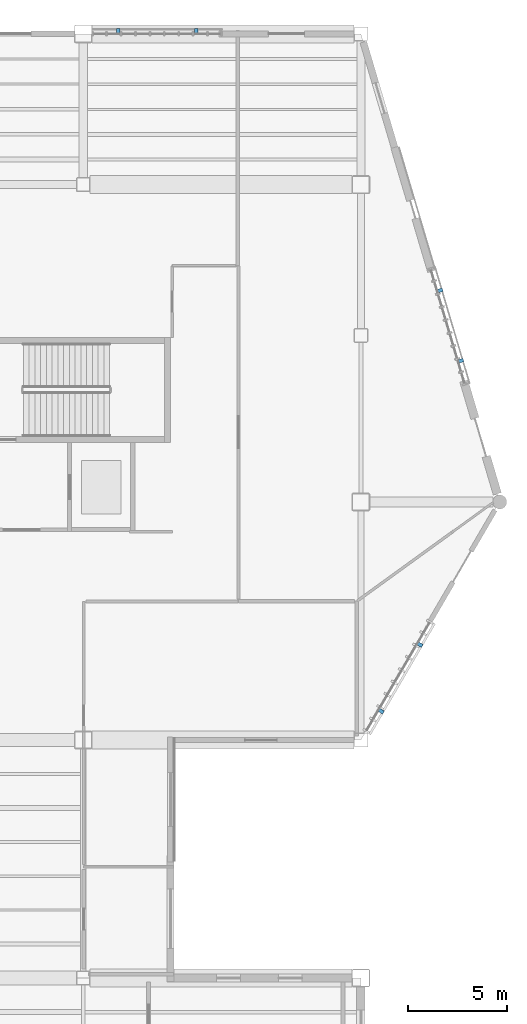
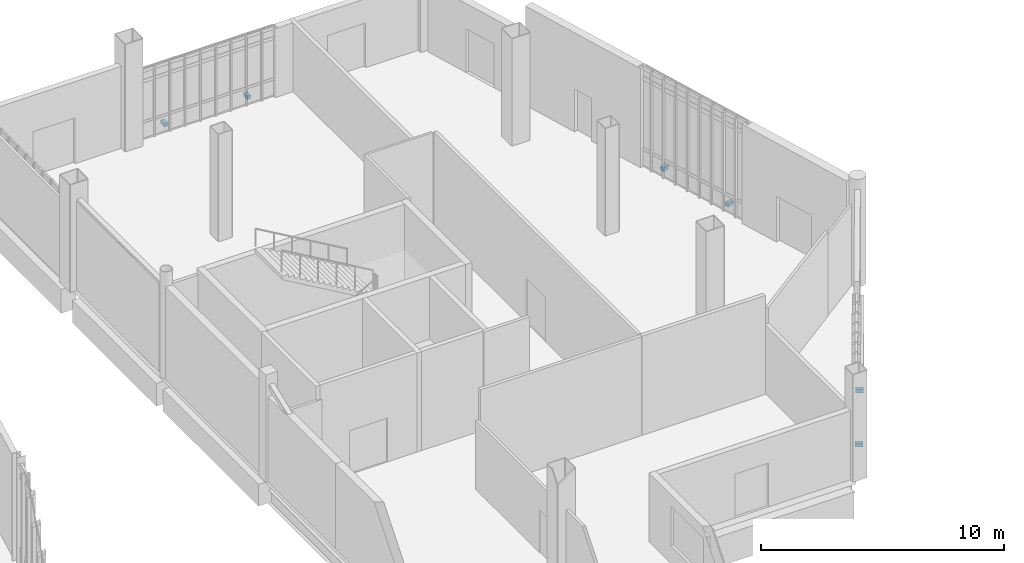
# One storey, part 98 of 111: 6 discrete accessories.
"""IFC4 building model written with IfcOpenShell, lengths in metres."""

from ifc_helpers import new_model, si_unit, direction, frame, origin, origin_2d, place, context, subcontext, project, spatial, rectangle, extrude, material, layer, layer_set, type_object, element, save


model = new_model("IFC4")

# Units and contexts
model_context = context("Model", 3, precision=1e-05, world=origin(), true_north=direction((0.0, 1.0)))
body_context = subcontext(model_context, "Body", "Model", "MODEL_VIEW")
ifc_project = project(units=[si_unit("LENGTHUNIT", "METRE"), si_unit("AREAUNIT", "SQUARE_METRE"), si_unit("VOLUMEUNIT", "CUBIC_METRE"), si_unit("PLANEANGLEUNIT", "RADIAN"), si_unit("MASSUNIT", "GRAM", prefix="KILO")], contexts=[model_context])

# Site, building, storey
site_placement = place(None, origin())
site = spatial("IfcSite", under=ifc_project, at=site_placement, CompositionType="ELEMENT")
building_placement = place(site_placement, origin())
building = spatial("IfcBuilding", under=site, at=building_placement, Name="Larkvane Passage Sports Hall", CompositionType="ELEMENT")
storey_placement = place(building_placement, origin())
storey = spatial("IfcBuildingStorey", under=building, at=storey_placement, Name="L00", CompositionType="ELEMENT", Elevation=0.0)

# Discrete accessories
ifc_material = material(Name="Steel S355JR", Category="steel")
ifc_layer = layer(ifc_material, 0.179931640625)
ifc_layer_set = layer_set([ifc_layer], Name="Steel S355JR")
discrete_accessory_type = type_object("IfcDiscreteAccessoryType", Name="ACC-BRACKET-STL", PredefinedType="BRACKET", material=ifc_layer_set)
for number, where, z_axis, x_axis, name in (
    (1, (133.356689453125, 99.320068359375, 0.26025390625), (0.0, 0.0, 1.0), (1.0, 0.0, 0.0), "Veil outrigger bracket L00-013-1"),
    (2, (137.289306640625, 99.320068359375, 0.26025390625), (0.0, 0.0, 1.0), (1.0, 0.0, 0.0), "Veil outrigger bracket L00-013-2"),
    (3, (149.56494140625, 86.254150390625, 0.26025390625), (0.0, 0.0, 1.0), (0.284364947432, -0.958716108487, 0.0), "Veil outrigger bracket L00-014-1"),
    (4, (150.614990234375, 82.714111328125, 0.26025390625), (0.0, 0.0, 1.0), (0.284364947432, -0.958716108487, 0.0), "Veil outrigger bracket L00-014-2"),
    (5, (148.551513671875, 68.421630859375, 0.26025390625), (0.0, 0.0, 1.0), (-0.503871025531, -0.863778900894, 0.0), "Veil outrigger bracket L00-015-1"),
    (6, (146.594970703125, 65.067626953125, 0.26025390625), (0.0, 0.0, 1.0), (-0.503871025531, -0.863778900894, 0.0), "Veil outrigger bracket L00-015-2"),
):
    element("IfcDiscreteAccessory", number, at=place(storey_placement, frame(where, z_axis=z_axis, x_axis=x_axis)), inside=storey, type_object=discrete_accessory_type, Name=name, PredefinedType="BRACKET", context=body_context, shape_type="SweptSolid", body=[
        extrude(rectangle(XDim=0.179931640625, YDim=0.320068359375, at=origin_2d()), origin(), (0.0, 0.0, 1.0), 0.179931640625),
    ])

save(model, "model.ifc")
